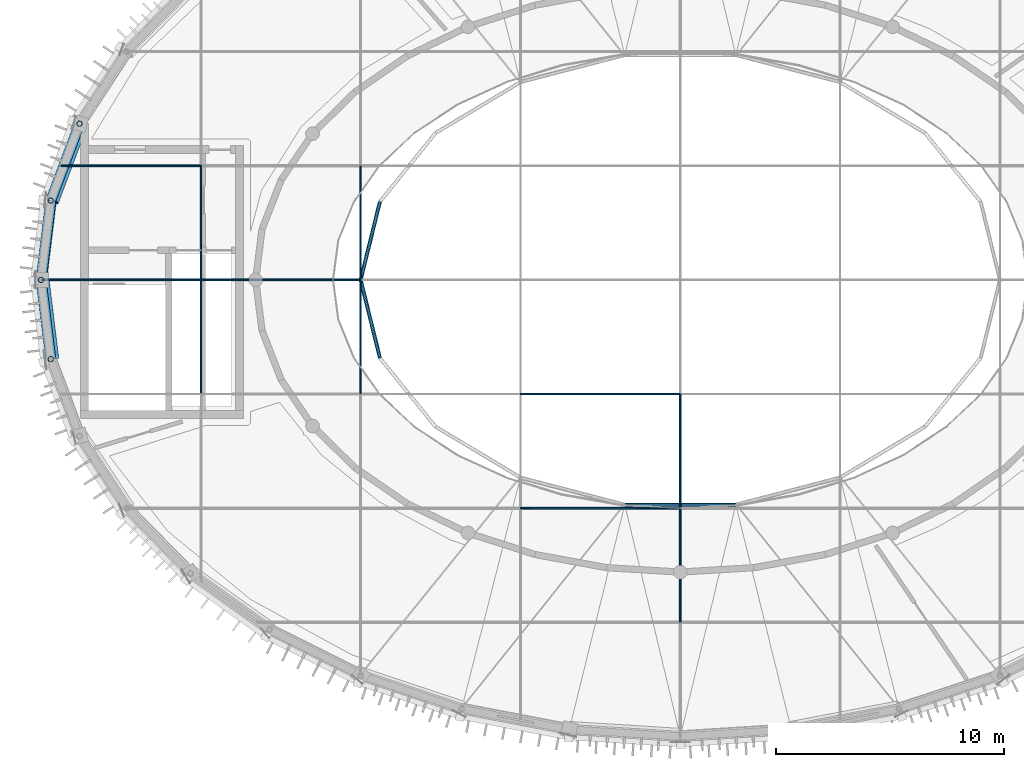
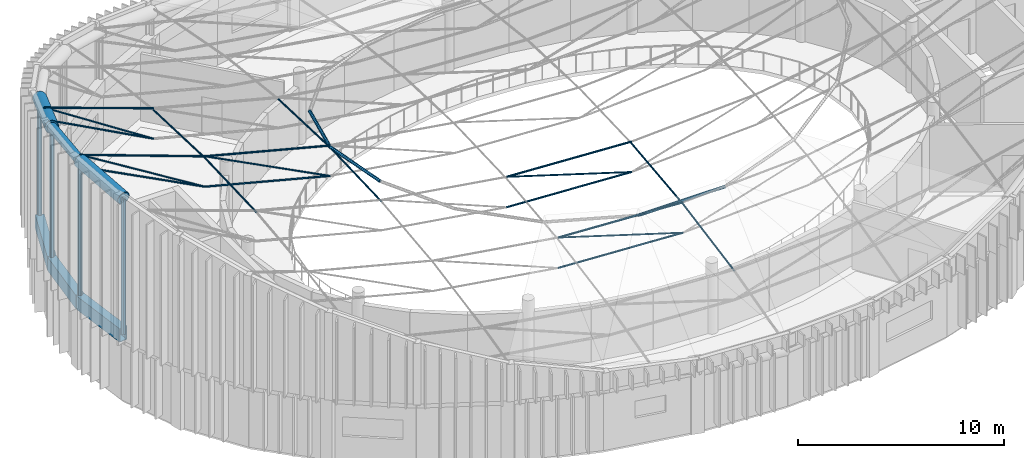
# One storey, part 5 of 36: 31 members, 3 beams.
"""IFC4 building model written with IfcOpenShell, lengths in metres."""

from ifc_helpers import new_model, si_unit, direction, frame, origin, origin_2d, place, context, subcontext, project, spatial, hollow_rectangle, circle, hollow_circle, extrude, material, material_profile, profile_set, type_object, element, save


model = new_model("IFC4")

# Units and contexts
model_context = context("Model", 3, precision=1e-05, world=origin(), true_north=direction((0.0, 1.0)))
body_context = subcontext(model_context, "Body", "Model", "MODEL_VIEW")
ifc_project = project(units=[si_unit("LENGTHUNIT", "METRE"), si_unit("AREAUNIT", "SQUARE_METRE"), si_unit("VOLUMEUNIT", "CUBIC_METRE"), si_unit("PLANEANGLEUNIT", "RADIAN"), si_unit("MASSUNIT", "GRAM", prefix="KILO")], contexts=[model_context])

# Site, building, storey
site_placement = place(None, origin())
site = spatial("IfcSite", under=ifc_project, at=site_placement, CompositionType="ELEMENT")
building_placement = place(site_placement, origin())
building = spatial("IfcBuilding", under=site, at=building_placement, Name="Tarnveldt Headland Concert Hall", CompositionType="ELEMENT")
storey_placement = place(building_placement, frame((0.0, 0.0, 22.800048828125)))
storey = spatial("IfcBuildingStorey", under=building, at=storey_placement, Name="L05", CompositionType="ELEMENT", Elevation=22.800048828125)

# Members
ifc_material = material(Name="Steel S355", Category="steel")
ifc_material_profile_1 = material_profile(ifc_material, circle(Radius=0.0458984375, at=origin_2d()), Name="LC D92", Category="steel")
ifc_profile_set_1 = profile_set([ifc_material_profile_1], Name="Steel S355")
member_type_1 = type_object("IfcMemberType", Name="CB-HOG92", PredefinedType="USERDEFINED", material=ifc_profile_set_1)
for number, where, z_axis, x_axis, name in (
    (1, (62.5, 49.5, 9.635009765625), (0.0, 0.999297615709, 0.037473660589), (-1.0, 0.0, 0.0), "ROOF TRUSS CABLE prestress chord 55"),
    (2, (62.5, 54.5, 9.822509765625), (0.0, 0.999297615709, -0.037473660589), (-1.0, 0.0, 0.0), "ROOF TRUSS CABLE prestress chord 56"),
    (3, (69.5, 49.5, 7.822509765625), (0.0, 0.999297615709, 0.037473660589), (-1.0, 0.0, 0.0), "ROOF TRUSS CABLE prestress chord 62"),
    (4, (69.5, 54.5, 8.010009765625), (0.0, 0.999297615709, -0.037473660589), (-1.0, 0.0, 0.0), "ROOF TRUSS CABLE prestress chord 63"),
):
    element("IfcMember", number, at=place(storey_placement, frame(where, z_axis=z_axis, x_axis=x_axis)), inside=storey, type_object=member_type_1, Name=name, ObjectType="CABLE", PredefinedType="USERDEFINED", context=body_context, shape_type="SweptSolid", body=[
        extrude(circle(Radius=0.0458984375, at=origin_2d()), origin(), (0.0, 0.0, 1.0), 5.00341796875),
    ])
member_1_placement = place(storey_placement, frame((83.5, 39.5, 4.87255859375), z_axis=(0.0, 0.982872186934, 0.18428853505), x_axis=(-1.0, 0.0, 0.0)))
element("IfcMember", 5, at=member_1_placement, inside=storey, type_object=member_type_1, Name="ROOF TRUSS CABLE prestress chord 76", ObjectType="CABLE", PredefinedType="USERDEFINED", context=body_context, shape_type="SweptSolid", body=[
    extrude(circle(Radius=0.0458984375, at=origin_2d()), origin(), (0.0, 0.0, 1.0), 5.087158203125),
])
member_2_placement = place(storey_placement, frame((83.5, 44.5, 5.81005859375), z_axis=(0.0, 0.993731316159, 0.111794773068), x_axis=(-1.0, 0.0, 0.0)))
element("IfcMember", 6, at=member_2_placement, inside=storey, type_object=member_type_1, Name="ROOF TRUSS CABLE prestress chord 77", ObjectType="CABLE", PredefinedType="USERDEFINED", context=body_context, shape_type="SweptSolid", body=[
    extrude(circle(Radius=0.0458984375, at=origin_2d()), origin(), (0.0, 0.0, 1.0), 5.031494140625),
])
ifc_material_profile_2 = material_profile(ifc_material, circle(Radius=0.053955078125, at=origin_2d()), Name="LC D108", Category="steel")
ifc_profile_set_2 = profile_set([ifc_material_profile_2], Name="Steel S355")
member_type_2 = type_object("IfcMemberType", Name="CB-SAG108", PredefinedType="USERDEFINED", material=ifc_profile_set_2)
member_3_placement = place(storey_placement, frame((76.5, 49.5, 6.8349609375), z_axis=(0.99866145102, 0.0, -0.05172336268), x_axis=(0.0, 1.0, 0.0)))
element("IfcMember", 7, at=member_3_placement, inside=storey, type_object=member_type_2, Name="ROOF TRUSS CABLE sag chord 18", ObjectType="CABLE", PredefinedType="USERDEFINED", context=body_context, shape_type="SweptSolid", body=[
    extrude(circle(Radius=0.053955078125, at=origin_2d()), origin(), (0.0, 0.0, 1.0), 7.00927734375),
])
member_4_placement = place(storey_placement, frame((55.5, 54.5, 12.4599609375), z_axis=(0.940131862857, 0.0, -0.340810915965), x_axis=(0.0, 1.0, 0.0)))
element("IfcMember", 8, at=member_4_placement, inside=storey, type_object=member_type_2, Name="ROOF TRUSS CABLE sag chord 23", ObjectType="CABLE", PredefinedType="USERDEFINED", context=body_context, shape_type="SweptSolid", body=[
    extrude(circle(Radius=0.053955078125, at=origin_2d()), origin(), (0.0, 0.0, 1.0), 7.44580078125),
])
member_5_placement = place(storey_placement, frame((62.5, 54.5, 9.92236328125), z_axis=(0.968074621179, 0.0, -0.250662178698), x_axis=(0.0, 1.0, 0.0)))
element("IfcMember", 9, at=member_5_placement, inside=storey, type_object=member_type_2, Name="ROOF TRUSS CABLE sag chord 24", ObjectType="CABLE", PredefinedType="USERDEFINED", context=body_context, shape_type="SweptSolid", body=[
    extrude(circle(Radius=0.053955078125, at=origin_2d()), origin(), (0.0, 0.0, 1.0), 7.23095703125),
])
member_6_placement = place(storey_placement, frame((56.38916015625, 59.5, 11.909912109375), z_axis=(0.942102430183, 0.0, -0.335325231742), x_axis=(0.0, 1.0, 0.0)))
element("IfcMember", 10, at=member_6_placement, inside=storey, type_object=member_type_2, Name="ROOF TRUSS CABLE sag chord 31", ObjectType="CABLE", PredefinedType="USERDEFINED", context=body_context, shape_type="SweptSolid", body=[
    extrude(circle(Radius=0.053955078125, at=origin_2d()), origin(), (0.0, 0.0, 1.0), 6.486328125),
])
ifc_material_profile_3 = material_profile(ifc_material, circle(Radius=0.031982421875, at=origin_2d()), Name="LC D64", Category="steel")
ifc_profile_set_3 = profile_set([ifc_material_profile_3], Name="Steel S355")
member_type_3 = type_object("IfcMemberType", Name="CB-STAY64", PredefinedType="USERDEFINED", material=ifc_profile_set_3)
for number, where, z_axis, x_axis, name in (
    (11, (76.5, 44.5, 6.2724609375), (0.955442632118, 0.0, -0.2951768567), (0.0, 1.0, 0.0), "ROOF TRUSS CABLE diagonal 10"),
    (12, (76.5, 49.5, 6.8349609375), (0.955442632118, 0.0, -0.2951768567), (0.0, 1.0, 0.0), "ROOF TRUSS CABLE diagonal 18"),
):
    element("IfcMember", number, at=place(storey_placement, frame(where, z_axis=z_axis, x_axis=x_axis)), inside=storey, type_object=member_type_3, Name=name, ObjectType="CABLE", PredefinedType="USERDEFINED", context=body_context, shape_type="SweptSolid", body=[
        extrude(circle(Radius=0.031982421875, at=origin_2d()), origin(), (0.0, 0.0, 1.0), 7.326416015625),
    ])
member_7_placement = place(storey_placement, frame((55.5, 54.5, 12.4599609375), z_axis=(0.850043932849, 0.0, -0.526711792375), x_axis=(0.0, 1.0, 0.0)))
element("IfcMember", 13, at=member_7_placement, inside=storey, type_object=member_type_3, Name="ROOF TRUSS CABLE diagonal 23", ObjectType="CABLE", PredefinedType="USERDEFINED", context=body_context, shape_type="SweptSolid", body=[
    extrude(circle(Radius=0.031982421875, at=origin_2d()), origin(), (0.0, 0.0, 1.0), 8.23486328125),
])
member_8_placement = place(storey_placement, frame((62.5, 54.5, 9.92236328125), z_axis=(0.888651623271, 0.0, -0.458582917757), x_axis=(0.0, 1.0, 0.0)))
element("IfcMember", 14, at=member_8_placement, inside=storey, type_object=member_type_3, Name="ROOF TRUSS CABLE diagonal 24", ObjectType="CABLE", PredefinedType="USERDEFINED", context=body_context, shape_type="SweptSolid", body=[
    extrude(circle(Radius=0.031982421875, at=origin_2d()), origin(), (0.0, 0.0, 1.0), 7.877197265625),
])
member_9_placement = place(storey_placement, frame((56.38916015625, 59.5, 11.909912109375), z_axis=(0.838267585522, 0.0, -0.545259071509), x_axis=(0.0, 1.0, 0.0)))
element("IfcMember", 15, at=member_9_placement, inside=storey, type_object=member_type_3, Name="ROOF TRUSS CABLE diagonal 31", ObjectType="CABLE", PredefinedType="USERDEFINED", context=body_context, shape_type="SweptSolid", body=[
    extrude(circle(Radius=0.031982421875, at=origin_2d()), origin(), (0.0, 0.0, 1.0), 7.289794921875),
])
ifc_material_profile_4 = material_profile(ifc_material, circle(Radius=0.0419921875, at=origin_2d()), Name="LC D84", Category="steel")
ifc_profile_set_4 = profile_set([ifc_material_profile_4], Name="Steel S355")
member_type_4 = type_object("IfcMemberType", Name="CB-STAY84", PredefinedType="USERDEFINED", material=ifc_profile_set_4)
member_10_placement = place(storey_placement, frame((76.5, 44.5, 6.2724609375), z_axis=(0.99866145102, 0.0, -0.05172336268), x_axis=(0.0, 1.0, 0.0)))
element("IfcMember", 16, at=member_10_placement, inside=storey, type_object=member_type_4, Name="ROOF TRUSS CABLE sag chord 10", ObjectType="CABLE", PredefinedType="USERDEFINED", context=body_context, shape_type="SweptSolid", body=[
    extrude(circle(Radius=0.0419921875, at=origin_2d()), origin(), (0.0, 0.0, 1.0), 7.00927734375),
])
ifc_material_profile_5 = material_profile(ifc_material, circle(Radius=0.0380859375, at=origin_2d()), Name="LC D76", Category="steel")
ifc_profile_set_5 = profile_set([ifc_material_profile_5], Name="Steel S355")
member_type_5 = type_object("IfcMemberType", Name="CB-TIE76", PredefinedType="USERDEFINED", material=ifc_profile_set_5)
for number, where, z_axis, x_axis, name in (
    (17, (76.5, 44.5, 4.472412109375), (0.99866145102, 0.0, -0.05172336268), (0.0, 1.0, 0.0), "ROOF TRUSS CABLE lower chord 10"),
    (18, (76.5, 49.5, 5.034912109375), (0.99866145102, 0.0, -0.05172336268), (0.0, 1.0, 0.0), "ROOF TRUSS CABLE lower chord 18"),
):
    element("IfcMember", number, at=place(storey_placement, frame(where, z_axis=z_axis, x_axis=x_axis)), inside=storey, type_object=member_type_5, Name=name, ObjectType="CABLE", PredefinedType="USERDEFINED", context=body_context, shape_type="SweptSolid", body=[
        extrude(circle(Radius=0.0380859375, at=origin_2d()), origin(), (0.0, 0.0, 1.0), 7.00927734375),
    ])
member_11_placement = place(storey_placement, frame((55.5, 54.5, 11.760009765625), z_axis=(0.887349016049, 0.0, -0.461098388327), x_axis=(0.0, 1.0, 0.0)))
element("IfcMember", 19, at=member_11_placement, inside=storey, type_object=member_type_5, Name="ROOF TRUSS CABLE lower chord 23", ObjectType="CABLE", PredefinedType="USERDEFINED", context=body_context, shape_type="SweptSolid", body=[
    extrude(circle(Radius=0.0380859375, at=origin_2d()), origin(), (0.0, 0.0, 1.0), 7.888671875),
])
member_12_placement = place(storey_placement, frame((62.5, 54.5, 8.12255859375), z_axis=(0.968074621179, 0.0, -0.250662178698), x_axis=(0.0, 1.0, 0.0)))
element("IfcMember", 20, at=member_12_placement, inside=storey, type_object=member_type_5, Name="ROOF TRUSS CABLE lower chord 24", ObjectType="CABLE", PredefinedType="USERDEFINED", context=body_context, shape_type="SweptSolid", body=[
    extrude(circle(Radius=0.0380859375, at=origin_2d()), origin(), (0.0, 0.0, 1.0), 7.23095703125),
])
member_13_placement = place(storey_placement, frame((56.38916015625, 59.5, 11.2099609375), z_axis=(0.881405622385, 0.0, -0.472360168545), x_axis=(0.0, 1.0, 0.0)))
element("IfcMember", 21, at=member_13_placement, inside=storey, type_object=member_type_5, Name="ROOF TRUSS CABLE lower chord 31", ObjectType="CABLE", PredefinedType="USERDEFINED", context=body_context, shape_type="SweptSolid", body=[
    extrude(circle(Radius=0.0380859375, at=origin_2d()), origin(), (0.0, 0.0, 1.0), 6.93310546875),
])
ifc_material_profile_6 = material_profile(ifc_material, hollow_circle(Radius=0.084228515625, WallThickness=0.010009765625, at=origin_2d()), Name="CHS 168.3x10", Category="steel")
ifc_profile_set_6 = profile_set([ifc_material_profile_6], Name="Steel S355")
member_type_6 = type_object("IfcMemberType", Name="PR-CHS168", PredefinedType="PURLIN", material=ifc_profile_set_6)
for number, where, z_axis, x_axis, name in (
    (22, (70.34423828125, 57.920166015625, 7.7724609375), (-0.239010317392, -0.968275169564, 0.072919573409), (0.970859768832, -0.239648303278, 0.0), "Saddle roof ring purlin 9"),
    (23, (69.5, 54.5, 8.030029296875), (0.239010317392, -0.968275169564, -0.072919573409), (0.970859768832, 0.239648303278, 0.0), "Saddle roof ring purlin 10"),
):
    element("IfcMember", number, at=place(storey_placement, frame(where, z_axis=z_axis, x_axis=x_axis)), inside=storey, type_object=member_type_6, Name=name, PredefinedType="PURLIN", context=body_context, shape_type="SweptSolid", body=[
        extrude(hollow_circle(Radius=0.084228515625, WallThickness=0.010009765625, at=origin_2d()), origin(), (0.0, 0.0, 1.0), 3.5322265625),
    ])
member_14_placement = place(storey_placement, frame((81.06884765625, 44.65185546875, 5.896240234375), z_axis=(1.0, 0.0, 0.0), x_axis=(0.0, 1.0, 0.0)))
element("IfcMember", 24, at=member_14_placement, inside=storey, type_object=member_type_6, Name="Saddle roof ring purlin 14", PredefinedType="PURLIN", context=body_context, shape_type="SweptSolid", body=[
    extrude(hollow_circle(Radius=0.084228515625, WallThickness=0.010009765625, at=origin_2d()), origin(), (0.0, 0.0, 1.0), 4.8623046875),
])

# Beams
ifc_material_profile_7 = material_profile(ifc_material, hollow_rectangle(XDim=0.449951171875, YDim=0.800048828125, WallThickness=0.028076171875, at=origin_2d()), Name="RHS 800x450x28", Category="steel")
ifc_profile_set_7 = profile_set([ifc_material_profile_7], Name="Steel S355")
beam_type = type_object("IfcBeamType", Name="RB-01", PredefinedType="BEAM", material=ifc_profile_set_7)
beam_placement = place(storey_placement, frame((57.188720703125, 61.34033203125, 3.800048828125), z_axis=(-0.351279653979, -0.936270583058, 0.0), x_axis=(0.936270583058, -0.351279653979, 0.0)))
element("IfcBeam", 25, at=beam_placement, inside=storey, type_object=beam_type, Name="Compression RING BEAM chord 17", PredefinedType="BEAM", context=body_context, shape_type="SweptSolid", body=[
    extrude(hollow_rectangle(XDim=0.449951171875, YDim=0.800048828125, WallThickness=0.028076171875, at=origin_2d()), origin(), (0.0, 0.0, 1.0), 3.5966796875),
])
for number, where, z_axis, x_axis, name in (
    (26, (55.92529296875, 57.972900390625, 3.800048828125), (-0.121552414401, -0.99258501427, 0.0), (0.99258501427, -0.121552414401, 0.0), "Compression RING BEAM chord 18"),
    (27, (55.5, 54.5, 3.800048828125), (0.121552414401, -0.99258501427, 0.0), (0.99258501427, 0.121552414401, 0.0), "Compression RING BEAM chord 19"),
):
    element("IfcBeam", number, at=place(storey_placement, frame(where, z_axis=z_axis, x_axis=x_axis)), inside=storey, type_object=beam_type, Name=name, PredefinedType="BEAM", context=body_context, shape_type="SweptSolid", body=[
        extrude(hollow_rectangle(XDim=0.449951171875, YDim=0.800048828125, WallThickness=0.028076171875, at=origin_2d()), origin(), (0.0, 0.0, 1.0), 3.498779296875),
    ])

# Members
ifc_material_profile_8 = material_profile(ifc_material, hollow_circle(Radius=0.25390625, WallThickness=0.02490234375, at=origin_2d()), Name="CHS 508x25", Category="steel")
ifc_profile_set_8 = profile_set([ifc_material_profile_8], Name="Steel S355")
member_type_7 = type_object("IfcMemberType", Name="SR-CHS508", PredefinedType="CHORD", material=ifc_profile_set_8)
member_15_placement = place(storey_placement, frame((55.92529296875, 57.972900390625, 11.8544921875), z_axis=(-0.121204273836, -0.989742132789, 0.075630910253), x_axis=(0.99258501427, -0.121552414401, 0.0)))
element("IfcMember", 28, at=member_15_placement, inside=storey, type_object=member_type_7, Name="Saddle boundary arch RING BEAM rib 18", PredefinedType="CHORD", context=body_context, shape_type="SweptSolid", body=[
    extrude(hollow_circle(Radius=0.25390625, WallThickness=0.02490234375, at=origin_2d()), origin(), (0.0, 0.0, 1.0), 3.5087890625),
])
ifc_material_profile_9 = material_profile(ifc_material, hollow_circle(Radius=0.35546875, WallThickness=0.028076171875, at=origin_2d()), Name="CHS 711x28", Category="steel")
ifc_profile_set_9 = profile_set([ifc_material_profile_9], Name="Steel S355")
member_type_8 = type_object("IfcMemberType", Name="SR-CHS711", PredefinedType="CHORD", material=ifc_profile_set_9)
member_16_placement = place(storey_placement, frame((57.188720703125, 61.34033203125, 11.090576171875), z_axis=(-0.343614502846, -0.915840548358, 0.207762276213), x_axis=(0.936270583058, -0.351279653979, 0.0)))
element("IfcMember", 29, at=member_16_placement, inside=storey, type_object=member_type_8, Name="Saddle boundary arch RING BEAM rib 17", PredefinedType="CHORD", context=body_context, shape_type="SweptSolid", body=[
    extrude(hollow_circle(Radius=0.35546875, WallThickness=0.028076171875, at=origin_2d()), origin(), (0.0, 0.0, 1.0), 3.6767578125),
])
member_17_placement = place(storey_placement, frame((55.5, 54.5, 12.119873046875), z_axis=(0.121204273836, -0.989742132789, -0.075630910253), x_axis=(0.99258501427, 0.121552414401, 0.0)))
element("IfcMember", 30, at=member_17_placement, inside=storey, type_object=member_type_8, Name="Saddle boundary arch RING BEAM rib 19", PredefinedType="CHORD", context=body_context, shape_type="SweptSolid", body=[
    extrude(hollow_circle(Radius=0.35546875, WallThickness=0.028076171875, at=origin_2d()), origin(), (0.0, 0.0, 1.0), 3.5087890625),
])
ifc_material_profile_10 = material_profile(ifc_material, hollow_circle(Radius=0.122314453125, WallThickness=0.01611328125, at=origin_2d()), Name="CHS 244.5x16", Category="steel")
ifc_profile_set_10 = profile_set([ifc_material_profile_10], Name="Steel S355")
member_type_9 = type_object("IfcMemberType", Name="TR-CHORD244", PredefinedType="POST", material=ifc_profile_set_10)
member_18_placement = place(storey_placement, frame((57.188720703125, 61.34033203125, 3.849853515625), z_axis=(0.0, 0.0, 1.0), x_axis=(1.0, 0.0, 0.0)))
element("IfcMember", 31, at=member_18_placement, inside=storey, type_object=member_type_9, Name="Saddle ring pedestal strut 17", PredefinedType="POST", context=body_context, shape_type="SweptSolid", body=[
    extrude(hollow_circle(Radius=0.122314453125, WallThickness=0.01611328125, at=origin_2d()), origin(), (0.0, 0.0, 1.0), 7.24072265625),
])
member_19_placement = place(storey_placement, frame((55.92529296875, 57.972900390625, 3.849853515625), z_axis=(0.0, 0.0, 1.0), x_axis=(1.0, 0.0, 0.0)))
element("IfcMember", 32, at=member_19_placement, inside=storey, type_object=member_type_9, Name="Saddle ring pedestal strut 18", PredefinedType="POST", context=body_context, shape_type="SweptSolid", body=[
    extrude(hollow_circle(Radius=0.122314453125, WallThickness=0.01611328125, at=origin_2d()), origin(), (0.0, 0.0, 1.0), 8.004638671875),
])
member_20_placement = place(storey_placement, frame((55.5, 54.5, 3.849853515625), z_axis=(0.0, 0.0, 1.0), x_axis=(1.0, 0.0, 0.0)))
element("IfcMember", 33, at=member_20_placement, inside=storey, type_object=member_type_9, Name="Saddle ring pedestal strut 19", PredefinedType="POST", context=body_context, shape_type="SweptSolid", body=[
    extrude(hollow_circle(Radius=0.122314453125, WallThickness=0.01611328125, at=origin_2d()), origin(), (0.0, 0.0, 1.0), 8.27001953125),
])
member_21_placement = place(storey_placement, frame((55.92529296875, 51.027099609375, 3.849853515625), z_axis=(0.0, 0.0, 1.0), x_axis=(1.0, 0.0, 0.0)))
element("IfcMember", 34, at=member_21_placement, inside=storey, type_object=member_type_9, Name="Saddle ring pedestal strut 20", PredefinedType="POST", context=body_context, shape_type="SweptSolid", body=[
    extrude(hollow_circle(Radius=0.122314453125, WallThickness=0.01611328125, at=origin_2d()), origin(), (0.0, 0.0, 1.0), 8.004638671875),
])

save(model, "model.ifc")
